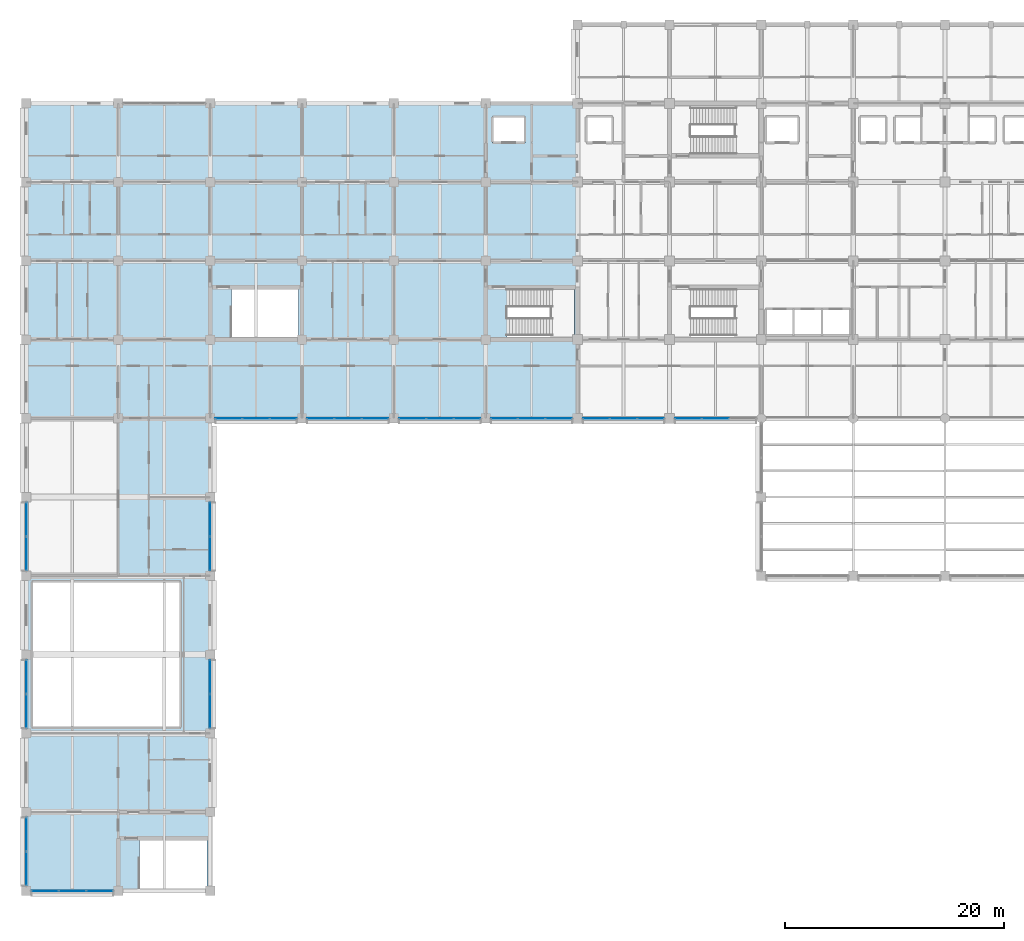
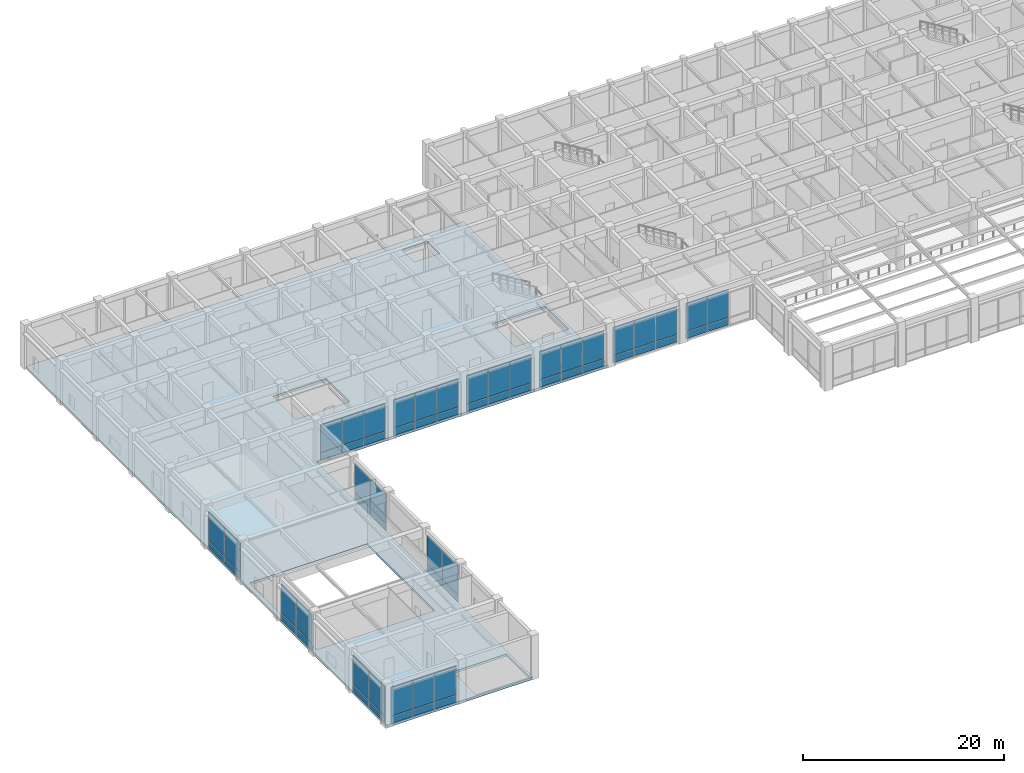
# One storey, part 26 of 58: 60 plates, 1 slab, 12 elements without a shape of their own.
"""IFC4 building model written with IfcOpenShell, lengths in metres."""

from ifc_helpers import new_model, si_unit, direction, frame, origin, origin_2d, place, context, subcontext, project, spatial, polyline, rectangle, outline, extrude, material, layer, layer_set, type_object, element, aggregate, save


model = new_model("IFC4")

# Units and contexts
model_context = context("Model", 3, precision=1e-05, world=origin(), true_north=direction((0.0, 1.0)))
body_context = subcontext(model_context, "Body", "Model", "MODEL_VIEW")
ifc_project = project(units=[si_unit("LENGTHUNIT", "METRE"), si_unit("AREAUNIT", "SQUARE_METRE"), si_unit("VOLUMEUNIT", "CUBIC_METRE"), si_unit("PLANEANGLEUNIT", "RADIAN"), si_unit("MASSUNIT", "GRAM", prefix="KILO")], contexts=[model_context])

# Site, building, storey
site_placement = place(None, origin())
site = spatial("IfcSite", under=ifc_project, at=site_placement, CompositionType="ELEMENT")
building_placement = place(site_placement, origin())
building = spatial("IfcBuilding", under=site, at=building_placement, Name="Chengyuan Square Courthouse", CompositionType="ELEMENT")
storey_placement = place(building_placement, frame((0.0, 0.0, 16.199951171875)))
storey = spatial("IfcBuildingStorey", under=building, at=storey_placement, Name="L04", CompositionType="ELEMENT", Elevation=16.199951171875)

# Curtain wall, plates
ifc_material_1 = material(Name="Unitised Aluminium and Triple Low-E Glass", Category="aluminium")
ifc_layer_1 = layer(ifc_material_1, 0.179931640625)
ifc_layer_set_1 = layer_set([ifc_layer_1], Name="Unitised Aluminium and Triple Low-E Glass")
curtain_wall_type_1 = type_object("IfcCurtainWallType", Name="CW-10", PredefinedType="USERDEFINED", material=ifc_layer_set_1)
curtain_wall_1_placement = place(storey_placement, origin())
curtain_wall_1 = element("IfcCurtainWall", 1, at=curtain_wall_1_placement, inside=storey, type_object=curtain_wall_type_1, Name="Unitised Curtain Wall CW-L04-127", ObjectType="UNITISED CURTAIN WALL", PredefinedType="USERDEFINED")
ifc_material_2 = material(Name="Triple Low-E Insulating Glass", Category="glass")
ifc_layer_2 = layer(ifc_material_2, 0.052001953125)
ifc_layer_set_2 = layer_set([ifc_layer_2], Name="Triple Low-E Insulating Glass")
plate_type_1 = type_object("IfcPlateType", Name="CWP-04", PredefinedType="CURTAIN_PANEL", material=ifc_layer_set_2)
plate_1_placement = place(storey_placement, frame((1.699462890625, 36.0, 0.06494140625), z_axis=(0.0, 0.0, 1.0), x_axis=(1.0, 0.0, 0.0)))
plate_1 = element("IfcPlate", 2, at=plate_1_placement, type_object=plate_type_1, Name="CW-10 panel 1.1", PredefinedType="CURTAIN_PANEL", context=body_context, shape_type="SweptSolid", body=[
    extrude(rectangle(XDim=2.419189453125, YDim=0.052001953125, at=origin_2d()), origin(), (0.0, 0.0, 1.0), 0.8525390625),
])
plate_2_placement = place(storey_placement, frame((1.699462890625, 36.0, 0.982666015625), z_axis=(0.0, 0.0, 1.0), x_axis=(1.0, 0.0, 0.0)))
plate_2 = element("IfcPlate", 3, at=plate_2_placement, type_object=plate_type_1, Name="CW-10 panel 1.2", PredefinedType="CURTAIN_PANEL", context=body_context, shape_type="SweptSolid", body=[
    extrude(rectangle(XDim=2.419189453125, YDim=0.052001953125, at=origin_2d()), origin(), (0.0, 0.0, 1.0), 3.50244140625),
])
plate_3_placement = place(storey_placement, frame((4.199951171875, 36.0, 0.06494140625), z_axis=(0.0, 0.0, 1.0), x_axis=(1.0, 0.0, 0.0)))
plate_3 = element("IfcPlate", 4, at=plate_3_placement, type_object=plate_type_1, Name="CW-10 panel 2.1", PredefinedType="CURTAIN_PANEL", context=body_context, shape_type="SweptSolid", body=[
    extrude(rectangle(XDim=2.45166015625, YDim=0.052001953125, at=origin_2d()), origin(), (0.0, 0.0, 1.0), 0.8525390625),
])
plate_4_placement = place(storey_placement, frame((4.199951171875, 36.0, 0.982666015625), z_axis=(0.0, 0.0, 1.0), x_axis=(1.0, 0.0, 0.0)))
plate_4 = element("IfcPlate", 5, at=plate_4_placement, type_object=plate_type_1, Name="CW-10 panel 2.2", PredefinedType="CURTAIN_PANEL", context=body_context, shape_type="SweptSolid", body=[
    extrude(rectangle(XDim=2.45166015625, YDim=0.052001953125, at=origin_2d()), origin(), (0.0, 0.0, 1.0), 3.50244140625),
])
plate_5_placement = place(storey_placement, frame((6.700439453125, 36.0, 0.06494140625), z_axis=(0.0, 0.0, 1.0), x_axis=(1.0, 0.0, 0.0)))
plate_5 = element("IfcPlate", 6, at=plate_5_placement, type_object=plate_type_1, Name="CW-10 panel 3.1", PredefinedType="CURTAIN_PANEL", context=body_context, shape_type="SweptSolid", body=[
    extrude(rectangle(XDim=2.419189453125, YDim=0.052001953125, at=origin_2d()), origin(), (0.0, 0.0, 1.0), 0.8525390625),
])
plate_6_placement = place(storey_placement, frame((6.700439453125, 36.0, 0.982666015625), z_axis=(0.0, 0.0, 1.0), x_axis=(1.0, 0.0, 0.0)))
plate_6 = element("IfcPlate", 7, at=plate_6_placement, type_object=plate_type_1, Name="CW-10 panel 3.2", PredefinedType="CURTAIN_PANEL", context=body_context, shape_type="SweptSolid", body=[
    extrude(rectangle(XDim=2.419189453125, YDim=0.052001953125, at=origin_2d()), origin(), (0.0, 0.0, 1.0), 3.50244140625),
])
aggregate(curtain_wall_1, [plate_1, plate_2, plate_3, plate_4, plate_5, plate_6])

curtain_wall_2_placement = place(storey_placement, origin())
curtain_wall_2 = element("IfcCurtainWall", 8, at=curtain_wall_2_placement, inside=storey, type_object=curtain_wall_type_1, Name="Unitised Curtain Wall CW-L04-134", ObjectType="UNITISED CURTAIN WALL", PredefinedType="USERDEFINED")
plate_7_placement = place(storey_placement, frame((18.49951171875, 79.199951171875, 0.06494140625), z_axis=(0.0, 0.0, 1.0), x_axis=(1.0, 0.0, 0.0)))
plate_7 = element("IfcPlate", 9, at=plate_7_placement, type_object=plate_type_1, Name="CW-10 panel 1.1", PredefinedType="CURTAIN_PANEL", context=body_context, shape_type="SweptSolid", body=[
    extrude(rectangle(XDim=2.419189453125, YDim=0.052001953125, at=origin_2d()), origin(), (0.0, 0.0, 1.0), 0.8525390625),
])
plate_8_placement = place(storey_placement, frame((18.49951171875, 79.199951171875, 0.982421875), z_axis=(0.0, 0.0, 1.0), x_axis=(1.0, 0.0, 0.0)))
plate_8 = element("IfcPlate", 10, at=plate_8_placement, type_object=plate_type_1, Name="CW-10 panel 1.2", PredefinedType="CURTAIN_PANEL", context=body_context, shape_type="SweptSolid", body=[
    extrude(rectangle(XDim=2.419189453125, YDim=0.052001953125, at=origin_2d()), origin(), (0.0, 0.0, 1.0), 3.3525390625),
])
plate_9_placement = place(storey_placement, frame((21.0, 79.199951171875, 0.06494140625), z_axis=(0.0, 0.0, 1.0), x_axis=(1.0, 0.0, 0.0)))
plate_9 = element("IfcPlate", 11, at=plate_9_placement, type_object=plate_type_1, Name="CW-10 panel 2.1", PredefinedType="CURTAIN_PANEL", context=body_context, shape_type="SweptSolid", body=[
    extrude(rectangle(XDim=2.45166015625, YDim=0.052001953125, at=origin_2d()), origin(), (0.0, 0.0, 1.0), 0.8525390625),
])
plate_10_placement = place(storey_placement, frame((21.0, 79.199951171875, 0.982421875), z_axis=(0.0, 0.0, 1.0), x_axis=(1.0, 0.0, 0.0)))
plate_10 = element("IfcPlate", 12, at=plate_10_placement, type_object=plate_type_1, Name="CW-10 panel 2.2", PredefinedType="CURTAIN_PANEL", context=body_context, shape_type="SweptSolid", body=[
    extrude(rectangle(XDim=2.45166015625, YDim=0.052001953125, at=origin_2d()), origin(), (0.0, 0.0, 1.0), 3.3525390625),
])
plate_11_placement = place(storey_placement, frame((23.50048828125, 79.199951171875, 0.06494140625), z_axis=(0.0, 0.0, 1.0), x_axis=(1.0, 0.0, 0.0)))
plate_11 = element("IfcPlate", 13, at=plate_11_placement, type_object=plate_type_1, Name="CW-10 panel 3.1", PredefinedType="CURTAIN_PANEL", context=body_context, shape_type="SweptSolid", body=[
    extrude(rectangle(XDim=2.419189453125, YDim=0.052001953125, at=origin_2d()), origin(), (0.0, 0.0, 1.0), 0.8525390625),
])
plate_12_placement = place(storey_placement, frame((23.50048828125, 79.199951171875, 0.982421875), z_axis=(0.0, 0.0, 1.0), x_axis=(1.0, 0.0, 0.0)))
plate_12 = element("IfcPlate", 14, at=plate_12_placement, type_object=plate_type_1, Name="CW-10 panel 3.2", PredefinedType="CURTAIN_PANEL", context=body_context, shape_type="SweptSolid", body=[
    extrude(rectangle(XDim=2.419189453125, YDim=0.052001953125, at=origin_2d()), origin(), (0.0, 0.0, 1.0), 3.3525390625),
])
aggregate(curtain_wall_2, [plate_7, plate_8, plate_9, plate_10, plate_11, plate_12])

curtain_wall_3_placement = place(storey_placement, origin())
curtain_wall_3 = element("IfcCurtainWall", 15, at=curtain_wall_3_placement, inside=storey, type_object=curtain_wall_type_1, Name="Unitised Curtain Wall CW-L04-135", ObjectType="UNITISED CURTAIN WALL", PredefinedType="USERDEFINED")
plate_13_placement = place(storey_placement, frame((26.899658203125, 79.199951171875, 0.06494140625), z_axis=(0.0, 0.0, 1.0), x_axis=(1.0, 0.0, 0.0)))
plate_13 = element("IfcPlate", 16, at=plate_13_placement, type_object=plate_type_1, Name="CW-10 panel 1.1", PredefinedType="CURTAIN_PANEL", context=body_context, shape_type="SweptSolid", body=[
    extrude(rectangle(XDim=2.419189453125, YDim=0.052001953125, at=origin_2d()), origin(), (0.0, 0.0, 1.0), 0.8525390625),
])
plate_14_placement = place(storey_placement, frame((26.899658203125, 79.199951171875, 0.982421875), z_axis=(0.0, 0.0, 1.0), x_axis=(1.0, 0.0, 0.0)))
plate_14 = element("IfcPlate", 17, at=plate_14_placement, type_object=plate_type_1, Name="CW-10 panel 1.2", PredefinedType="CURTAIN_PANEL", context=body_context, shape_type="SweptSolid", body=[
    extrude(rectangle(XDim=2.419189453125, YDim=0.052001953125, at=origin_2d()), origin(), (0.0, 0.0, 1.0), 3.422607421875),
])
plate_15_placement = place(storey_placement, frame((29.39990234375, 79.199951171875, 0.06494140625), z_axis=(0.0, 0.0, 1.0), x_axis=(1.0, 0.0, 0.0)))
plate_15 = element("IfcPlate", 18, at=plate_15_placement, type_object=plate_type_1, Name="CW-10 panel 2.1", PredefinedType="CURTAIN_PANEL", context=body_context, shape_type="SweptSolid", body=[
    extrude(rectangle(XDim=2.45166015625, YDim=0.052001953125, at=origin_2d()), origin(), (0.0, 0.0, 1.0), 0.8525390625),
])
plate_16_placement = place(storey_placement, frame((29.39990234375, 79.199951171875, 0.982421875), z_axis=(0.0, 0.0, 1.0), x_axis=(1.0, 0.0, 0.0)))
plate_16 = element("IfcPlate", 19, at=plate_16_placement, type_object=plate_type_1, Name="CW-10 panel 2.2", PredefinedType="CURTAIN_PANEL", context=body_context, shape_type="SweptSolid", body=[
    extrude(rectangle(XDim=2.45166015625, YDim=0.052001953125, at=origin_2d()), origin(), (0.0, 0.0, 1.0), 3.422607421875),
])
plate_17_placement = place(storey_placement, frame((31.900390625, 79.199951171875, 0.06494140625), z_axis=(0.0, 0.0, 1.0), x_axis=(1.0, 0.0, 0.0)))
plate_17 = element("IfcPlate", 20, at=plate_17_placement, type_object=plate_type_1, Name="CW-10 panel 3.1", PredefinedType="CURTAIN_PANEL", context=body_context, shape_type="SweptSolid", body=[
    extrude(rectangle(XDim=2.419189453125, YDim=0.052001953125, at=origin_2d()), origin(), (0.0, 0.0, 1.0), 0.8525390625),
])
plate_18_placement = place(storey_placement, frame((31.900390625, 79.199951171875, 0.982421875), z_axis=(0.0, 0.0, 1.0), x_axis=(1.0, 0.0, 0.0)))
plate_18 = element("IfcPlate", 21, at=plate_18_placement, type_object=plate_type_1, Name="CW-10 panel 3.2", PredefinedType="CURTAIN_PANEL", context=body_context, shape_type="SweptSolid", body=[
    extrude(rectangle(XDim=2.419189453125, YDim=0.052001953125, at=origin_2d()), origin(), (0.0, 0.0, 1.0), 3.422607421875),
])
aggregate(curtain_wall_3, [plate_13, plate_14, plate_15, plate_16, plate_17, plate_18])

curtain_wall_4_placement = place(storey_placement, origin())
curtain_wall_4 = element("IfcCurtainWall", 22, at=curtain_wall_4_placement, inside=storey, type_object=curtain_wall_type_1, Name="Unitised Curtain Wall CW-L04-136", ObjectType="UNITISED CURTAIN WALL", PredefinedType="USERDEFINED")
plate_19_placement = place(storey_placement, frame((35.299560546875, 79.199951171875, 0.06494140625), z_axis=(0.0, 0.0, 1.0), x_axis=(1.0, 0.0, 0.0)))
plate_19 = element("IfcPlate", 23, at=plate_19_placement, type_object=plate_type_1, Name="CW-10 panel 1.1", PredefinedType="CURTAIN_PANEL", context=body_context, shape_type="SweptSolid", body=[
    extrude(rectangle(XDim=2.419189453125, YDim=0.052001953125, at=origin_2d()), origin(), (0.0, 0.0, 1.0), 0.8525390625),
])
plate_20_placement = place(storey_placement, frame((35.299560546875, 79.199951171875, 0.982421875), z_axis=(0.0, 0.0, 1.0), x_axis=(1.0, 0.0, 0.0)))
plate_20 = element("IfcPlate", 24, at=plate_20_placement, type_object=plate_type_1, Name="CW-10 panel 1.2", PredefinedType="CURTAIN_PANEL", context=body_context, shape_type="SweptSolid", body=[
    extrude(rectangle(XDim=2.419189453125, YDim=0.052001953125, at=origin_2d()), origin(), (0.0, 0.0, 1.0), 3.422607421875),
])
plate_21_placement = place(storey_placement, frame((37.800048828125, 79.199951171875, 0.06494140625), z_axis=(0.0, 0.0, 1.0), x_axis=(1.0, 0.0, 0.0)))
plate_21 = element("IfcPlate", 25, at=plate_21_placement, type_object=plate_type_1, Name="CW-10 panel 2.1", PredefinedType="CURTAIN_PANEL", context=body_context, shape_type="SweptSolid", body=[
    extrude(rectangle(XDim=2.45166015625, YDim=0.052001953125, at=origin_2d()), origin(), (0.0, 0.0, 1.0), 0.8525390625),
])
plate_22_placement = place(storey_placement, frame((37.800048828125, 79.199951171875, 0.982421875), z_axis=(0.0, 0.0, 1.0), x_axis=(1.0, 0.0, 0.0)))
plate_22 = element("IfcPlate", 26, at=plate_22_placement, type_object=plate_type_1, Name="CW-10 panel 2.2", PredefinedType="CURTAIN_PANEL", context=body_context, shape_type="SweptSolid", body=[
    extrude(rectangle(XDim=2.45166015625, YDim=0.052001953125, at=origin_2d()), origin(), (0.0, 0.0, 1.0), 3.422607421875),
])
plate_23_placement = place(storey_placement, frame((40.300537109375, 79.199951171875, 0.06494140625), z_axis=(0.0, 0.0, 1.0), x_axis=(1.0, 0.0, 0.0)))
plate_23 = element("IfcPlate", 27, at=plate_23_placement, type_object=plate_type_1, Name="CW-10 panel 3.1", PredefinedType="CURTAIN_PANEL", context=body_context, shape_type="SweptSolid", body=[
    extrude(rectangle(XDim=2.419189453125, YDim=0.052001953125, at=origin_2d()), origin(), (0.0, 0.0, 1.0), 0.8525390625),
])
plate_24_placement = place(storey_placement, frame((40.300537109375, 79.199951171875, 0.982421875), z_axis=(0.0, 0.0, 1.0), x_axis=(1.0, 0.0, 0.0)))
plate_24 = element("IfcPlate", 28, at=plate_24_placement, type_object=plate_type_1, Name="CW-10 panel 3.2", PredefinedType="CURTAIN_PANEL", context=body_context, shape_type="SweptSolid", body=[
    extrude(rectangle(XDim=2.419189453125, YDim=0.052001953125, at=origin_2d()), origin(), (0.0, 0.0, 1.0), 3.422607421875),
])
aggregate(curtain_wall_4, [plate_19, plate_20, plate_21, plate_22, plate_23, plate_24])

curtain_wall_5_placement = place(storey_placement, origin())
curtain_wall_5 = element("IfcCurtainWall", 29, at=curtain_wall_5_placement, inside=storey, type_object=curtain_wall_type_1, Name="Unitised Curtain Wall CW-L04-137", ObjectType="UNITISED CURTAIN WALL", PredefinedType="USERDEFINED")
plate_25_placement = place(storey_placement, frame((43.6953125, 79.199951171875, 0.06494140625), z_axis=(0.0, 0.0, 1.0), x_axis=(1.0, 0.0, 0.0)))
plate_25 = element("IfcPlate", 30, at=plate_25_placement, type_object=plate_type_1, Name="CW-10 panel 1.1", PredefinedType="CURTAIN_PANEL", context=body_context, shape_type="SweptSolid", body=[
    extrude(rectangle(XDim=2.410888671875, YDim=0.052001953125, at=origin_2d()), origin(), (0.0, 0.0, 1.0), 0.8525390625),
])
plate_26_placement = place(storey_placement, frame((43.6953125, 79.199951171875, 0.982421875), z_axis=(0.0, 0.0, 1.0), x_axis=(1.0, 0.0, 0.0)))
plate_26 = element("IfcPlate", 31, at=plate_26_placement, type_object=plate_type_1, Name="CW-10 panel 1.2", PredefinedType="CURTAIN_PANEL", context=body_context, shape_type="SweptSolid", body=[
    extrude(rectangle(XDim=2.410888671875, YDim=0.052001953125, at=origin_2d()), origin(), (0.0, 0.0, 1.0), 3.422607421875),
])
plate_27_placement = place(storey_placement, frame((46.1875, 79.199951171875, 0.06494140625), z_axis=(0.0, 0.0, 1.0), x_axis=(1.0, 0.0, 0.0)))
plate_27 = element("IfcPlate", 32, at=plate_27_placement, type_object=plate_type_1, Name="CW-10 panel 2.1", PredefinedType="CURTAIN_PANEL", context=body_context, shape_type="SweptSolid", body=[
    extrude(rectangle(XDim=2.443359375, YDim=0.052001953125, at=origin_2d()), origin(), (0.0, 0.0, 1.0), 0.8525390625),
])
plate_28_placement = place(storey_placement, frame((46.1875, 79.199951171875, 0.982421875), z_axis=(0.0, 0.0, 1.0), x_axis=(1.0, 0.0, 0.0)))
plate_28 = element("IfcPlate", 33, at=plate_28_placement, type_object=plate_type_1, Name="CW-10 panel 2.2", PredefinedType="CURTAIN_PANEL", context=body_context, shape_type="SweptSolid", body=[
    extrude(rectangle(XDim=2.443359375, YDim=0.052001953125, at=origin_2d()), origin(), (0.0, 0.0, 1.0), 3.422607421875),
])
plate_29_placement = place(storey_placement, frame((48.6796875, 79.199951171875, 0.06494140625), z_axis=(0.0, 0.0, 1.0), x_axis=(1.0, 0.0, 0.0)))
plate_29 = element("IfcPlate", 34, at=plate_29_placement, type_object=plate_type_1, Name="CW-10 panel 3.1", PredefinedType="CURTAIN_PANEL", context=body_context, shape_type="SweptSolid", body=[
    extrude(rectangle(XDim=2.410888671875, YDim=0.052001953125, at=origin_2d()), origin(), (0.0, 0.0, 1.0), 0.8525390625),
])
plate_30_placement = place(storey_placement, frame((48.6796875, 79.199951171875, 0.982421875), z_axis=(0.0, 0.0, 1.0), x_axis=(1.0, 0.0, 0.0)))
plate_30 = element("IfcPlate", 35, at=plate_30_placement, type_object=plate_type_1, Name="CW-10 panel 3.2", PredefinedType="CURTAIN_PANEL", context=body_context, shape_type="SweptSolid", body=[
    extrude(rectangle(XDim=2.410888671875, YDim=0.052001953125, at=origin_2d()), origin(), (0.0, 0.0, 1.0), 3.422607421875),
])
aggregate(curtain_wall_5, [plate_25, plate_26, plate_27, plate_28, plate_29, plate_30])

curtain_wall_6_placement = place(storey_placement, origin())
curtain_wall_6 = element("IfcCurtainWall", 36, at=curtain_wall_6_placement, inside=storey, type_object=curtain_wall_type_1, Name="Unitised Curtain Wall CW-L04-138", ObjectType="UNITISED CURTAIN WALL", PredefinedType="USERDEFINED")
plate_31_placement = place(storey_placement, frame((52.1162109375, 79.199951171875, 0.06494140625), z_axis=(0.0, 0.0, 1.0), x_axis=(1.0, 0.0, 0.0)))
plate_31 = element("IfcPlate", 37, at=plate_31_placement, type_object=plate_type_1, Name="CW-10 panel 1.1", PredefinedType="CURTAIN_PANEL", context=body_context, shape_type="SweptSolid", body=[
    extrude(rectangle(XDim=2.402587890625, YDim=0.052001953125, at=origin_2d()), origin(), (0.0, 0.0, 1.0), 0.8525390625),
])
plate_32_placement = place(storey_placement, frame((52.1162109375, 79.199951171875, 0.982421875), z_axis=(0.0, 0.0, 1.0), x_axis=(1.0, 0.0, 0.0)))
plate_32 = element("IfcPlate", 38, at=plate_32_placement, type_object=plate_type_1, Name="CW-10 panel 1.2", PredefinedType="CURTAIN_PANEL", context=body_context, shape_type="SweptSolid", body=[
    extrude(rectangle(XDim=2.402587890625, YDim=0.052001953125, at=origin_2d()), origin(), (0.0, 0.0, 1.0), 3.422607421875),
])
plate_33_placement = place(storey_placement, frame((54.60009765625, 79.199951171875, 0.06494140625), z_axis=(0.0, 0.0, 1.0), x_axis=(1.0, 0.0, 0.0)))
plate_33 = element("IfcPlate", 39, at=plate_33_placement, type_object=plate_type_1, Name="CW-10 panel 2.1", PredefinedType="CURTAIN_PANEL", context=body_context, shape_type="SweptSolid", body=[
    extrude(rectangle(XDim=2.43505859375, YDim=0.052001953125, at=origin_2d()), origin(), (0.0, 0.0, 1.0), 0.8525390625),
])
plate_34_placement = place(storey_placement, frame((54.60009765625, 79.199951171875, 0.982421875), z_axis=(0.0, 0.0, 1.0), x_axis=(1.0, 0.0, 0.0)))
plate_34 = element("IfcPlate", 40, at=plate_34_placement, type_object=plate_type_1, Name="CW-10 panel 2.2", PredefinedType="CURTAIN_PANEL", context=body_context, shape_type="SweptSolid", body=[
    extrude(rectangle(XDim=2.43505859375, YDim=0.052001953125, at=origin_2d()), origin(), (0.0, 0.0, 1.0), 3.422607421875),
])
plate_35_placement = place(storey_placement, frame((57.083740234375, 79.199951171875, 0.06494140625), z_axis=(0.0, 0.0, 1.0), x_axis=(1.0, 0.0, 0.0)))
plate_35 = element("IfcPlate", 41, at=plate_35_placement, type_object=plate_type_1, Name="CW-10 panel 3.1", PredefinedType="CURTAIN_PANEL", context=body_context, shape_type="SweptSolid", body=[
    extrude(rectangle(XDim=2.402587890625, YDim=0.052001953125, at=origin_2d()), origin(), (0.0, 0.0, 1.0), 0.8525390625),
])
plate_36_placement = place(storey_placement, frame((57.083740234375, 79.199951171875, 0.982421875), z_axis=(0.0, 0.0, 1.0), x_axis=(1.0, 0.0, 0.0)))
plate_36 = element("IfcPlate", 42, at=plate_36_placement, type_object=plate_type_1, Name="CW-10 panel 3.2", PredefinedType="CURTAIN_PANEL", context=body_context, shape_type="SweptSolid", body=[
    extrude(rectangle(XDim=2.402587890625, YDim=0.052001953125, at=origin_2d()), origin(), (0.0, 0.0, 1.0), 3.422607421875),
])
aggregate(curtain_wall_6, [plate_31, plate_32, plate_33, plate_34, plate_35, plate_36])

curtain_wall_7_placement = place(storey_placement, origin())
curtain_wall_7 = element("IfcCurtainWall", 43, at=curtain_wall_7_placement, inside=storey, type_object=curtain_wall_type_1, Name="Unitised Curtain Wall CW-L04-139", ObjectType="UNITISED CURTAIN WALL", PredefinedType="USERDEFINED")
plate_37_placement = place(storey_placement, frame((60.5205078125, 79.199951171875, 0.06494140625), z_axis=(0.0, 0.0, 1.0), x_axis=(1.0, 0.0, 0.0)))
plate_37 = element("IfcPlate", 44, at=plate_37_placement, type_object=plate_type_1, Name="CW-10 panel 1.1", PredefinedType="CURTAIN_PANEL", context=body_context, shape_type="SweptSolid", body=[
    extrude(rectangle(XDim=2.410888671875, YDim=0.052001953125, at=origin_2d()), origin(), (0.0, 0.0, 1.0), 0.8525390625),
])
plate_38_placement = place(storey_placement, frame((60.5205078125, 79.199951171875, 0.982421875), z_axis=(0.0, 0.0, 1.0), x_axis=(1.0, 0.0, 0.0)))
plate_38 = element("IfcPlate", 45, at=plate_38_placement, type_object=plate_type_1, Name="CW-10 panel 1.2", PredefinedType="CURTAIN_PANEL", context=body_context, shape_type="SweptSolid", body=[
    extrude(rectangle(XDim=2.410888671875, YDim=0.052001953125, at=origin_2d()), origin(), (0.0, 0.0, 1.0), 3.422607421875),
])
plate_39_placement = place(storey_placement, frame((63.012451171875, 79.199951171875, 0.06494140625), z_axis=(0.0, 0.0, 1.0), x_axis=(1.0, 0.0, 0.0)))
plate_39 = element("IfcPlate", 46, at=plate_39_placement, type_object=plate_type_1, Name="CW-10 panel 2.1", PredefinedType="CURTAIN_PANEL", context=body_context, shape_type="SweptSolid", body=[
    extrude(rectangle(XDim=2.443359375, YDim=0.052001953125, at=origin_2d()), origin(), (0.0, 0.0, 1.0), 0.8525390625),
])
plate_40_placement = place(storey_placement, frame((63.012451171875, 79.199951171875, 0.982421875), z_axis=(0.0, 0.0, 1.0), x_axis=(1.0, 0.0, 0.0)))
plate_40 = element("IfcPlate", 47, at=plate_40_placement, type_object=plate_type_1, Name="CW-10 panel 2.2", PredefinedType="CURTAIN_PANEL", context=body_context, shape_type="SweptSolid", body=[
    extrude(rectangle(XDim=2.443359375, YDim=0.052001953125, at=origin_2d()), origin(), (0.0, 0.0, 1.0), 3.422607421875),
])
aggregate(curtain_wall_7, [plate_37, plate_38, plate_39, plate_40])

ifc_layer_3 = layer(ifc_material_1, 0.199951171875)
ifc_layer_set_3 = layer_set([ifc_layer_3], Name="Unitised Aluminium and Triple Low-E Glass")
curtain_wall_type_2 = type_object("IfcCurtainWallType", Name="CW-23", PredefinedType="USERDEFINED", material=ifc_layer_set_3)
curtain_wall_8_placement = place(storey_placement, origin())
curtain_wall_8 = element("IfcCurtainWall", 48, at=curtain_wall_8_placement, inside=storey, type_object=curtain_wall_type_2, Name="Unitised Curtain Wall CW-L04-128", ObjectType="UNITISED CURTAIN WALL", PredefinedType="USERDEFINED")
ifc_layer_4 = layer(ifc_material_2, 0.06201171875)
ifc_layer_set_4 = layer_set([ifc_layer_4], Name="Triple Low-E Insulating Glass")
plate_type_2 = type_object("IfcPlateType", Name="CWP-05", PredefinedType="CURTAIN_PANEL", material=ifc_layer_set_4)
plate_41_placement = place(storey_placement, frame((0.0, 38.030029296875, 0.06982421875), z_axis=(0.0, 0.0, 1.0), x_axis=(0.0, 1.0, 0.0)))
plate_41 = element("IfcPlate", 49, at=plate_41_placement, type_object=plate_type_2, Name="CW-23 panel 1.1", PredefinedType="CURTAIN_PANEL", context=body_context, shape_type="SweptSolid", body=[
    extrude(rectangle(XDim=3.070068359375, YDim=0.06201171875, at=origin_2d()), origin(), (0.0, 0.0, 1.0), 0.844970703125),
])
plate_42_placement = place(storey_placement, frame((0.0, 38.030029296875, 0.985107421875), z_axis=(0.0, 0.0, 1.0), x_axis=(0.0, 1.0, 0.0)))
plate_42 = element("IfcPlate", 50, at=plate_42_placement, type_object=plate_type_2, Name="CW-23 panel 1.2", PredefinedType="CURTAIN_PANEL", context=body_context, shape_type="SweptSolid", body=[
    extrude(rectangle(XDim=3.070068359375, YDim=0.06201171875, at=origin_2d()), origin(), (0.0, 0.0, 1.0), 3.4951171875),
])
plate_43_placement = place(storey_placement, frame((0.0, 41.169921875, 0.06982421875), z_axis=(0.0, 0.0, 1.0), x_axis=(0.0, 1.0, 0.0)))
plate_43 = element("IfcPlate", 51, at=plate_43_placement, type_object=plate_type_2, Name="CW-23 panel 2.1", PredefinedType="CURTAIN_PANEL", context=body_context, shape_type="SweptSolid", body=[
    extrude(rectangle(XDim=3.070068359375, YDim=0.06201171875, at=origin_2d()), origin(), (0.0, 0.0, 1.0), 0.844970703125),
])
plate_44_placement = place(storey_placement, frame((0.0, 41.169921875, 0.985107421875), z_axis=(0.0, 0.0, 1.0), x_axis=(0.0, 1.0, 0.0)))
plate_44 = element("IfcPlate", 52, at=plate_44_placement, type_object=plate_type_2, Name="CW-23 panel 2.2", PredefinedType="CURTAIN_PANEL", context=body_context, shape_type="SweptSolid", body=[
    extrude(rectangle(XDim=3.070068359375, YDim=0.06201171875, at=origin_2d()), origin(), (0.0, 0.0, 1.0), 3.4951171875),
])
aggregate(curtain_wall_8, [plate_41, plate_42, plate_43, plate_44])

curtain_wall_9_placement = place(storey_placement, origin())
curtain_wall_9 = element("IfcCurtainWall", 53, at=curtain_wall_9_placement, inside=storey, type_object=curtain_wall_type_2, Name="Unitised Curtain Wall CW-L04-129", ObjectType="UNITISED CURTAIN WALL", PredefinedType="USERDEFINED")
plate_45_placement = place(storey_placement, frame((0.0, 52.429931640625, 0.06982421875), z_axis=(0.0, 0.0, 1.0), x_axis=(0.0, 1.0, 0.0)))
plate_45 = element("IfcPlate", 54, at=plate_45_placement, type_object=plate_type_2, Name="CW-23 panel 1.1", PredefinedType="CURTAIN_PANEL", context=body_context, shape_type="SweptSolid", body=[
    extrude(rectangle(XDim=3.070068359375, YDim=0.06201171875, at=origin_2d()), origin(), (0.0, 0.0, 1.0), 0.844970703125),
])
plate_46_placement = place(storey_placement, frame((0.0, 52.429931640625, 0.985107421875), z_axis=(0.0, 0.0, 1.0), x_axis=(0.0, 1.0, 0.0)))
plate_46 = element("IfcPlate", 55, at=plate_46_placement, type_object=plate_type_2, Name="CW-23 panel 1.2", PredefinedType="CURTAIN_PANEL", context=body_context, shape_type="SweptSolid", body=[
    extrude(rectangle(XDim=3.070068359375, YDim=0.06201171875, at=origin_2d()), origin(), (0.0, 0.0, 1.0), 3.4951171875),
])
plate_47_placement = place(storey_placement, frame((0.0, 55.570068359375, 0.06982421875), z_axis=(0.0, 0.0, 1.0), x_axis=(0.0, 1.0, 0.0)))
plate_47 = element("IfcPlate", 56, at=plate_47_placement, type_object=plate_type_2, Name="CW-23 panel 2.1", PredefinedType="CURTAIN_PANEL", context=body_context, shape_type="SweptSolid", body=[
    extrude(rectangle(XDim=3.070068359375, YDim=0.06201171875, at=origin_2d()), origin(), (0.0, 0.0, 1.0), 0.844970703125),
])
plate_48_placement = place(storey_placement, frame((0.0, 55.570068359375, 0.985107421875), z_axis=(0.0, 0.0, 1.0), x_axis=(0.0, 1.0, 0.0)))
plate_48 = element("IfcPlate", 57, at=plate_48_placement, type_object=plate_type_2, Name="CW-23 panel 2.2", PredefinedType="CURTAIN_PANEL", context=body_context, shape_type="SweptSolid", body=[
    extrude(rectangle(XDim=3.070068359375, YDim=0.06201171875, at=origin_2d()), origin(), (0.0, 0.0, 1.0), 3.4951171875),
])
aggregate(curtain_wall_9, [plate_45, plate_46, plate_47, plate_48])

curtain_wall_10_placement = place(storey_placement, origin())
curtain_wall_10 = element("IfcCurtainWall", 58, at=curtain_wall_10_placement, inside=storey, type_object=curtain_wall_type_2, Name="Unitised Curtain Wall CW-L04-130", ObjectType="UNITISED CURTAIN WALL", PredefinedType="USERDEFINED")
plate_49_placement = place(storey_placement, frame((0.0, 66.830078125, 0.06982421875), z_axis=(0.0, 0.0, 1.0), x_axis=(0.0, 1.0, 0.0)))
plate_49 = element("IfcPlate", 59, at=plate_49_placement, type_object=plate_type_2, Name="CW-23 panel 1.1", PredefinedType="CURTAIN_PANEL", context=body_context, shape_type="SweptSolid", body=[
    extrude(rectangle(XDim=3.070068359375, YDim=0.06201171875, at=origin_2d()), origin(), (0.0, 0.0, 1.0), 0.844970703125),
])
plate_50_placement = place(storey_placement, frame((0.0, 66.830078125, 0.985107421875), z_axis=(0.0, 0.0, 1.0), x_axis=(0.0, 1.0, 0.0)))
plate_50 = element("IfcPlate", 60, at=plate_50_placement, type_object=plate_type_2, Name="CW-23 panel 1.2", PredefinedType="CURTAIN_PANEL", context=body_context, shape_type="SweptSolid", body=[
    extrude(rectangle(XDim=3.070068359375, YDim=0.06201171875, at=origin_2d()), origin(), (0.0, 0.0, 1.0), 3.4951171875),
])
plate_51_placement = place(storey_placement, frame((0.0, 69.969970703125, 0.06982421875), z_axis=(0.0, 0.0, 1.0), x_axis=(0.0, 1.0, 0.0)))
plate_51 = element("IfcPlate", 61, at=plate_51_placement, type_object=plate_type_2, Name="CW-23 panel 2.1", PredefinedType="CURTAIN_PANEL", context=body_context, shape_type="SweptSolid", body=[
    extrude(rectangle(XDim=3.070068359375, YDim=0.06201171875, at=origin_2d()), origin(), (0.0, 0.0, 1.0), 0.844970703125),
])
plate_52_placement = place(storey_placement, frame((0.0, 69.969970703125, 0.985107421875), z_axis=(0.0, 0.0, 1.0), x_axis=(0.0, 1.0, 0.0)))
plate_52 = element("IfcPlate", 62, at=plate_52_placement, type_object=plate_type_2, Name="CW-23 panel 2.2", PredefinedType="CURTAIN_PANEL", context=body_context, shape_type="SweptSolid", body=[
    extrude(rectangle(XDim=3.070068359375, YDim=0.06201171875, at=origin_2d()), origin(), (0.0, 0.0, 1.0), 3.4951171875),
])
aggregate(curtain_wall_10, [plate_49, plate_50, plate_51, plate_52])

curtain_wall_11_placement = place(storey_placement, origin())
curtain_wall_11 = element("IfcCurtainWall", 63, at=curtain_wall_11_placement, inside=storey, type_object=curtain_wall_type_2, Name="Unitised Curtain Wall CW-L04-131", ObjectType="UNITISED CURTAIN WALL", PredefinedType="USERDEFINED")
plate_53_placement = place(storey_placement, frame((16.800048828125, 52.429931640625, 0.06982421875), z_axis=(0.0, 0.0, 1.0), x_axis=(0.0, 1.0, 0.0)))
plate_53 = element("IfcPlate", 64, at=plate_53_placement, type_object=plate_type_2, Name="CW-23 panel 1.1", PredefinedType="CURTAIN_PANEL", context=body_context, shape_type="SweptSolid", body=[
    extrude(rectangle(XDim=3.070068359375, YDim=0.06201171875, at=origin_2d()), origin(), (0.0, 0.0, 1.0), 0.844970703125),
])
plate_54_placement = place(storey_placement, frame((16.800048828125, 52.429931640625, 0.985107421875), z_axis=(0.0, 0.0, 1.0), x_axis=(0.0, 1.0, 0.0)))
plate_54 = element("IfcPlate", 65, at=plate_54_placement, type_object=plate_type_2, Name="CW-23 panel 1.2", PredefinedType="CURTAIN_PANEL", context=body_context, shape_type="SweptSolid", body=[
    extrude(rectangle(XDim=3.070068359375, YDim=0.06201171875, at=origin_2d()), origin(), (0.0, 0.0, 1.0), 3.4951171875),
])
plate_55_placement = place(storey_placement, frame((16.800048828125, 55.570068359375, 0.06982421875), z_axis=(0.0, 0.0, 1.0), x_axis=(0.0, 1.0, 0.0)))
plate_55 = element("IfcPlate", 66, at=plate_55_placement, type_object=plate_type_2, Name="CW-23 panel 2.1", PredefinedType="CURTAIN_PANEL", context=body_context, shape_type="SweptSolid", body=[
    extrude(rectangle(XDim=3.070068359375, YDim=0.06201171875, at=origin_2d()), origin(), (0.0, 0.0, 1.0), 0.844970703125),
])
plate_56_placement = place(storey_placement, frame((16.800048828125, 55.570068359375, 0.985107421875), z_axis=(0.0, 0.0, 1.0), x_axis=(0.0, 1.0, 0.0)))
plate_56 = element("IfcPlate", 67, at=plate_56_placement, type_object=plate_type_2, Name="CW-23 panel 2.2", PredefinedType="CURTAIN_PANEL", context=body_context, shape_type="SweptSolid", body=[
    extrude(rectangle(XDim=3.070068359375, YDim=0.06201171875, at=origin_2d()), origin(), (0.0, 0.0, 1.0), 3.4951171875),
])
aggregate(curtain_wall_11, [plate_53, plate_54, plate_55, plate_56])

curtain_wall_12_placement = place(storey_placement, origin())
curtain_wall_12 = element("IfcCurtainWall", 68, at=curtain_wall_12_placement, inside=storey, type_object=curtain_wall_type_2, Name="Unitised Curtain Wall CW-L04-132", ObjectType="UNITISED CURTAIN WALL", PredefinedType="USERDEFINED")
plate_57_placement = place(storey_placement, frame((16.800048828125, 66.830078125, 0.06982421875), z_axis=(0.0, 0.0, 1.0), x_axis=(0.0, 1.0, 0.0)))
plate_57 = element("IfcPlate", 69, at=plate_57_placement, type_object=plate_type_2, Name="CW-23 panel 1.1", PredefinedType="CURTAIN_PANEL", context=body_context, shape_type="SweptSolid", body=[
    extrude(rectangle(XDim=3.070068359375, YDim=0.06201171875, at=origin_2d()), origin(), (0.0, 0.0, 1.0), 0.844970703125),
])
plate_58_placement = place(storey_placement, frame((16.800048828125, 66.830078125, 0.985107421875), z_axis=(0.0, 0.0, 1.0), x_axis=(0.0, 1.0, 0.0)))
plate_58 = element("IfcPlate", 70, at=plate_58_placement, type_object=plate_type_2, Name="CW-23 panel 1.2", PredefinedType="CURTAIN_PANEL", context=body_context, shape_type="SweptSolid", body=[
    extrude(rectangle(XDim=3.070068359375, YDim=0.06201171875, at=origin_2d()), origin(), (0.0, 0.0, 1.0), 3.4951171875),
])
plate_59_placement = place(storey_placement, frame((16.800048828125, 69.969970703125, 0.06982421875), z_axis=(0.0, 0.0, 1.0), x_axis=(0.0, 1.0, 0.0)))
plate_59 = element("IfcPlate", 71, at=plate_59_placement, type_object=plate_type_2, Name="CW-23 panel 2.1", PredefinedType="CURTAIN_PANEL", context=body_context, shape_type="SweptSolid", body=[
    extrude(rectangle(XDim=3.070068359375, YDim=0.06201171875, at=origin_2d()), origin(), (0.0, 0.0, 1.0), 0.844970703125),
])
plate_60_placement = place(storey_placement, frame((16.800048828125, 69.969970703125, 0.985107421875), z_axis=(0.0, 0.0, 1.0), x_axis=(0.0, 1.0, 0.0)))
plate_60 = element("IfcPlate", 72, at=plate_60_placement, type_object=plate_type_2, Name="CW-23 panel 2.2", PredefinedType="CURTAIN_PANEL", context=body_context, shape_type="SweptSolid", body=[
    extrude(rectangle(XDim=3.070068359375, YDim=0.06201171875, at=origin_2d()), origin(), (0.0, 0.0, 1.0), 3.4951171875),
])
aggregate(curtain_wall_12, [plate_57, plate_58, plate_59, plate_60])

# Slab
ifc_material_3 = material(Name="Post-tensioned Concrete C50", Category="concrete")
ifc_layer_5 = layer(ifc_material_3, 0.280029296875)
ifc_layer_set_5 = layer_set([ifc_layer_5], Name="Post-tensioned Concrete C50")
slab_type = type_object("IfcSlabType", Name="SL-PT28", PredefinedType="FLOOR", material=ifc_layer_set_5)
slab_placement = place(storey_placement, frame((0.0, 0.0, -0.280029296875)))
element("IfcSlab", 73, at=slab_placement, inside=storey, type_object=slab_type, Name="Suspended Floor Slab SL-L04-01", PredefinedType="FLOOR", context=body_context, shape_type="SweptSolid", body=[
    extrude(outline(polyline([(0.0, 86.39990234375), (0.0, 93.60009765625), (0.0, 100.800048828125), (0.0, 108.0), (8.39990234375, 108.0), (16.800048828125, 108.0), (25.199951171875, 108.0), (33.60009765625, 108.0), (42.0, 108.0), (50.39990234375, 108.0), (50.39990234375, 79.199951171875), (42.0, 79.199951171875), (33.60009765625, 79.199951171875), (25.199951171875, 79.199951171875), (16.800048828125, 79.199951171875), (16.800048828125, 72.0), (16.800048828125, 64.800048828125), (16.800048828125, 57.60009765625), (16.800048828125, 50.39990234375), (16.800048828125, 43.199951171875), (16.800048828125, 36.0), (8.39990234375, 36.0), (0.0, 36.0), (0.0, 43.199951171875), (0.0, 50.39990234375), (0.0, 57.60009765625), (0.0, 64.800048828125), (0.0, 72.0), (0.0, 79.199951171875), (0.0, 86.39990234375)]), holes=[polyline([(10.35009765625, 40.800048828125), (10.35009765625, 36.199951171875), (16.5, 36.199951171875), (16.5, 40.800048828125), (10.35009765625, 40.800048828125)]), polyline([(14.10009765625, 64.300048828125), (0.5, 64.300048828125), (0.5, 50.89990234375), (14.10009765625, 50.89990234375), (14.10009765625, 64.300048828125)]), polyline([(24.89990234375, 91.199951171875), (18.75, 91.199951171875), (18.75, 86.60009765625), (24.89990234375, 86.60009765625), (24.89990234375, 91.199951171875)]), polyline([(43.949951171875, 91.199951171875), (43.949951171875, 86.60009765625), (50.10009765625, 86.60009765625), (50.10009765625, 91.199951171875), (43.949951171875, 91.199951171875)]), polyline([(45.60009765625, 106.800048828125), (42.60009765625, 106.800048828125), (42.60009765625, 104.39990234375), (45.60009765625, 104.39990234375), (45.60009765625, 106.800048828125)])]), origin(), (0.0, 0.0, 1.0), 0.280029296875),
])

save(model, "model.ifc")
